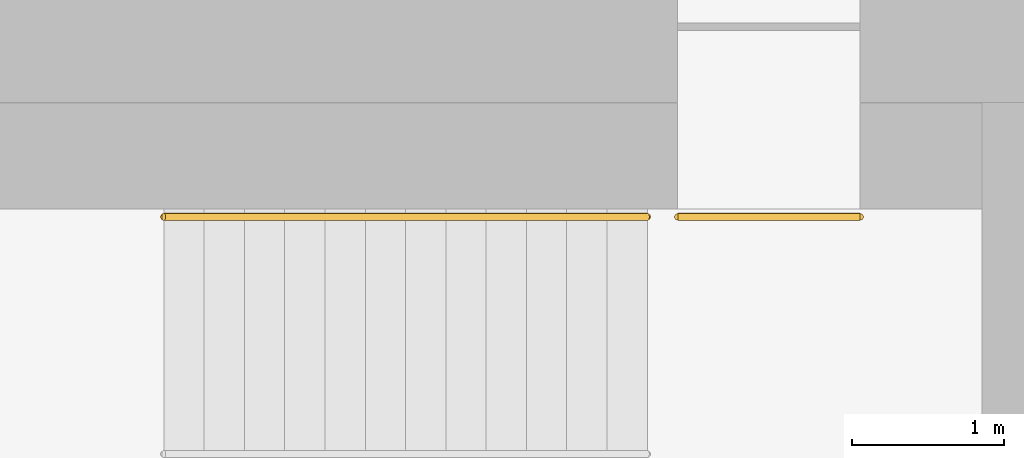
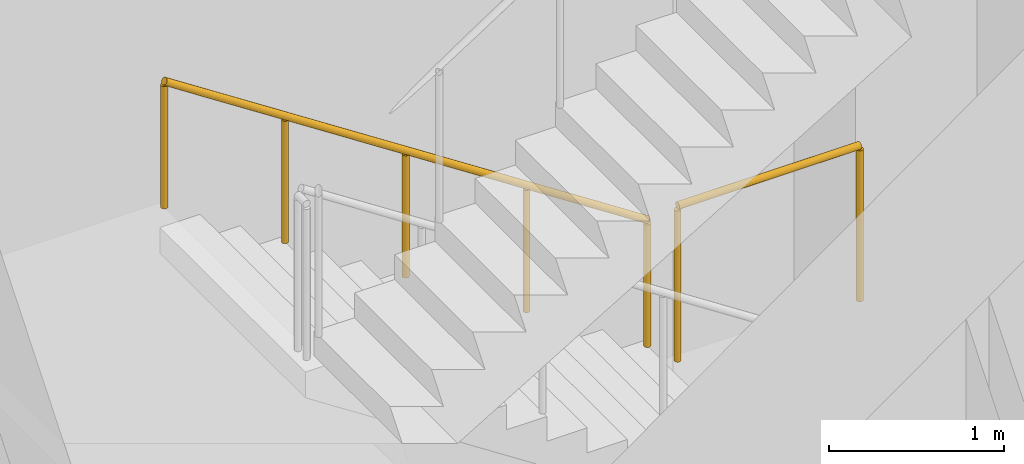
# One storey, part 19 of 19: 2 railings.
"""IFC4 building model written with IfcOpenShell, lengths in metres."""

from ifc_helpers import new_model, si_unit, direction, frame, origin, origin_2d, place, context, subcontext, project, spatial, circle, extrude, material, type_object, element, save


model = new_model("IFC4")

# Units and contexts
model_context = context("Model", 3, precision=1e-05, world=origin(), true_north=direction((0.0, 1.0)))
body_context = subcontext(model_context, "Body", "Model", "MODEL_VIEW")
ifc_project = project(units=[si_unit("LENGTHUNIT", "METRE"), si_unit("AREAUNIT", "SQUARE_METRE"), si_unit("VOLUMEUNIT", "CUBIC_METRE"), si_unit("PLANEANGLEUNIT", "RADIAN"), si_unit("MASSUNIT", "GRAM", prefix="KILO")], contexts=[model_context])

# Site, building, storey
site_placement = place(None, origin())
site = spatial("IfcSite", under=ifc_project, at=site_placement, CompositionType="ELEMENT")
building_placement = place(site_placement, origin())
building = spatial("IfcBuilding", under=site, at=building_placement, Name="Vermilion Reach Broadcast Tower", CompositionType="ELEMENT")
storey_placement = place(building_placement, frame((0.0, 0.0, 17.0)))
storey = spatial("IfcBuildingStorey", under=building, at=storey_placement, Name="L02", CompositionType="ELEMENT", Elevation=17.0)

# Railings
ifc_material_1 = material(Name="Stainless steel", Category="steel")
railing_type_1 = type_object("IfcRailingType", Name="Stair guard 1100", PredefinedType="GUARDRAIL", material=ifc_material_1)
railing_1_placement = place(storey_placement, frame((-0.800048828125, 7.25, 4.5)))
element("IfcRailing", 1, at=railing_1_placement, inside=storey, type_object=railing_type_1, Name="L02 ST2 doorway guard", PredefinedType="GUARDRAIL", context=body_context, shape_type="SweptSolid", body=[
    extrude(circle(Radius=0.02392578125, at=origin_2d()), frame((0.0, 0.0, 1.076171875), z_axis=(1.0, 0.0, 0.0), x_axis=(0.0, 1.0, 0.0)), (0.0, 0.0, 1.0), 1.199951171875),
    extrude(circle(Radius=0.02099609375, at=origin_2d()), origin(), (0.0, 0.0, 1.0), 1.052001953125),
    extrude(circle(Radius=0.02099609375, at=origin_2d()), frame((1.199951171875, 0.0, 0.0)), (0.0, 0.0, 1.0), 1.052001953125),
])
ifc_material_2 = material(Name="Stainless steel", Category="steel")
railing_type_2 = type_object("IfcRailingType", Name="Stair handrail", PredefinedType="HANDRAIL", material=ifc_material_2)
railing_2_placement = place(storey_placement, frame((-1.0, 7.25, 4.673095703125)))
element("IfcRailing", 2, at=railing_2_placement, inside=storey, type_object=railing_type_2, Name="L02 ST2 stair handrail 3", PredefinedType="HANDRAIL", context=body_context, shape_type="SweptSolid", body=[
    extrude(circle(Radius=0.02392578125, at=origin_2d()), frame((0.0, 0.0, 0.8759765625), z_axis=(-0.837244679093, 0.0, 0.546828444149), x_axis=(0.0, -1.0, 0.0)), (0.0, 0.0, 1.0), 3.798095703125),
    extrude(circle(Radius=0.02099609375, at=origin_2d()), origin(), (0.0, 0.0, 1.0), 0.851806640625),
    extrude(circle(Radius=0.02099609375, at=origin_2d()), frame((-0.794921875, 0.0, 0.519287109375)), (0.0, 0.0, 1.0), 0.851806640625),
    extrude(circle(Radius=0.02099609375, at=origin_2d()), frame((-1.58984375, 0.0, 1.03857421875)), (0.0, 0.0, 1.0), 0.851806640625),
    extrude(circle(Radius=0.02099609375, at=origin_2d()), frame((-2.385009765625, 0.0, 1.5576171875)), (0.0, 0.0, 1.0), 0.851806640625),
    extrude(circle(Radius=0.02099609375, at=origin_2d()), frame((-3.179931640625, 0.0, 2.076904296875)), (0.0, 0.0, 1.0), 0.851806640625),
])

save(model, "model.ifc")
